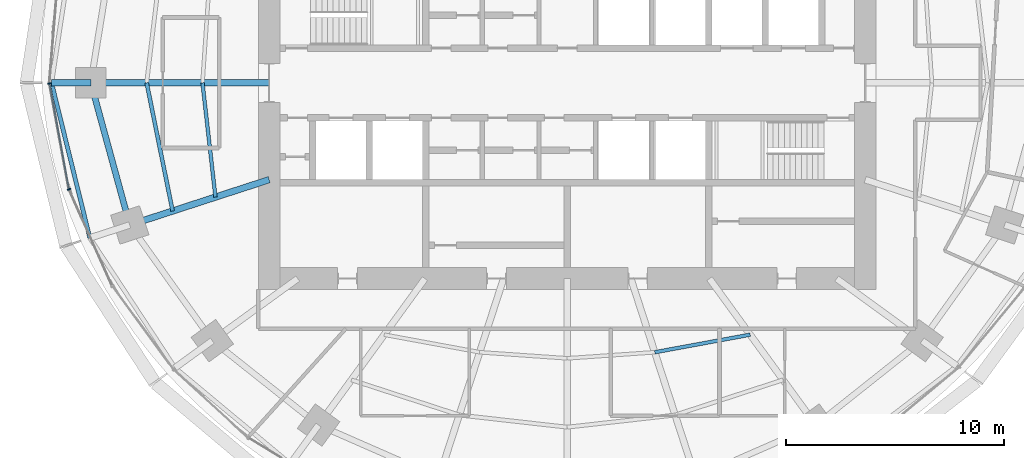
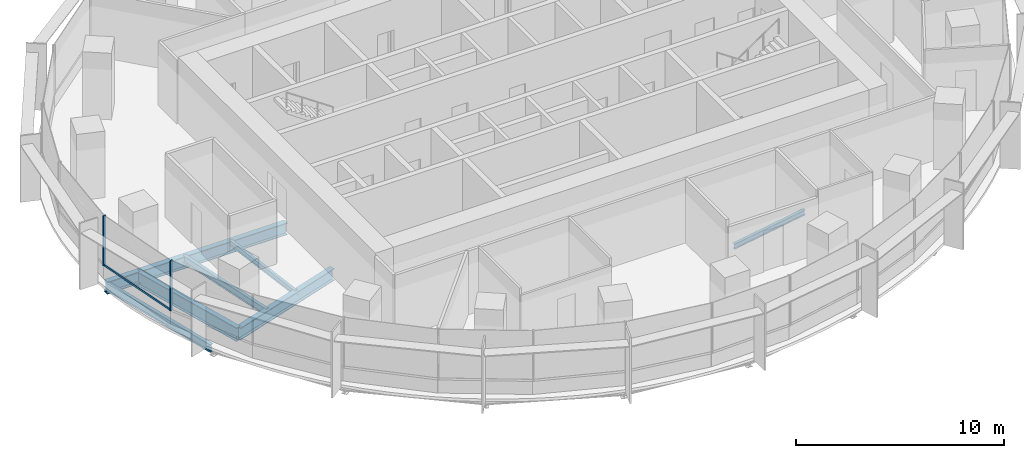
# One storey, part 3 of 15: 8 beams, 3 members, 1 element without a shape of its own.
"""IFC4 building model written with IfcOpenShell, lengths in metres."""

import ifcopenshell
import ifcopenshell.guid

model = None  # the IFC model being written
_history = None  # IfcOwnerHistory: only IFC2X3 demands one
_inside = {}  # id of a spatial element -> (the spatial element, [elements in it])
_under = {}  # id of a project, library or spatial element -> (it, [spatial elements below it])
_declared = {}  # id of a project -> (the project, [libraries it declares])
_typed = {}  # id of a type object -> (the type object, [elements of that type])
_made_of = {}  # id of a material, layer set ... -> (it, [elements and type objects made of it])


def new_model(schema):
    """Start an empty IFC model of exactly this schema.

    Asked for "IFC4X3", IfcOpenShell would pick the latest addendum, in which some entities
    have other attributes; the version numbers below select the first issue.
    IFC2X3 requires an IfcOwnerHistory on every rooted entity: one is made here for all.
    """
    global model, _history
    if schema == "IFC4X3":
        model = ifcopenshell.file(schema_version=(4, 3, 0, 0))
    else:
        model = ifcopenshell.file(schema=schema)
    _inside.clear()
    _under.clear()
    _declared.clear()
    _typed.clear()
    _made_of.clear()
    _history = None
    if model.schema == "IFC2X3":
        org = make("IfcOrganization", Name="unknown")
        user = make(
            "IfcPersonAndOrganization",
            ThePerson=make("IfcPerson", FamilyName="unknown"),
            TheOrganization=org,
        )
        app = make(
            "IfcApplication",
            ApplicationDeveloper=org,
            Version="unknown",
            ApplicationFullName="unknown",
            ApplicationIdentifier="unknown",
        )
        _history = make(
            "IfcOwnerHistory",
            OwningUser=user,
            OwningApplication=app,
            ChangeAction="ADDED",
            CreationDate=0,
        )
    return model


def make(cls, **values):
    """One entity of the class cls with the attributes given. An attribute that is None is left unset."""
    return model.create_entity(
        cls, **{name: value for name, value in values.items() if value is not None}
    )


def rooted(cls, **values):
    """An entity with a GlobalId (a new one), such as an element, a storey or a relation."""
    return make(cls, GlobalId=ifcopenshell.guid.new(), OwnerHistory=_history, **values)


def si_unit(unit_type, name, prefix=None):
    """IfcSIUnit, for example si_unit("LENGTHUNIT", "METRE", prefix="MILLI")."""
    return make("IfcSIUnit", UnitType=unit_type, Prefix=prefix, Name=name)


def assignment(units):
    """IfcUnitAssignment: the units of a project."""
    return None if units is None else make("IfcUnitAssignment", Units=units)


def point(xyz):
    """IfcCartesianPoint."""
    return None if xyz is None else make("IfcCartesianPoint", Coordinates=xyz)


def direction(xyz):
    """IfcDirection."""
    return None if xyz is None else make("IfcDirection", DirectionRatios=xyz)


def frame(location, z_axis=None, x_axis=None):
    """IfcAxis2Placement3D, a coordinate frame: its origin and axes. An axis left out is left unset."""
    return make(
        "IfcAxis2Placement3D",
        Location=point(location),
        Axis=direction(z_axis),
        RefDirection=direction(x_axis),
    )


def frame_2d(location, x_axis=None):
    """IfcAxis2Placement2D, a coordinate frame in the plane: its origin and x axis."""
    return make(
        "IfcAxis2Placement2D", Location=point(location), RefDirection=direction(x_axis)
    )


def origin():
    """The frame at (0, 0, 0) with its axes left unset."""
    return frame((0.0, 0.0, 0.0))


def origin_2d():
    """The frame at (0, 0) in the plane with its x axis left unset."""
    return frame_2d((0.0, 0.0))


def place(relative_to, where):
    """IfcLocalPlacement: puts the frame where relative to a parent placement (None: the world)."""
    return make(
        "IfcLocalPlacement", PlacementRelTo=relative_to, RelativePlacement=where
    )


def context(
    kind, dimensions, precision=None, world=None, true_north=None, identifier=None
):
    """IfcGeometricRepresentationContext, for example the 3D "Model" context."""
    return make(
        "IfcGeometricRepresentationContext",
        ContextIdentifier=identifier,
        ContextType=kind,
        CoordinateSpaceDimension=dimensions,
        Precision=precision,
        WorldCoordinateSystem=world,
        TrueNorth=true_north,
    )


def subcontext(parent, identifier, kind, view, scale=None):
    """IfcGeometricRepresentationSubContext, for example "Body" below "Model"."""
    return make(
        "IfcGeometricRepresentationSubContext",
        ContextIdentifier=identifier,
        ContextType=kind,
        ParentContext=parent,
        TargetScale=scale,
        TargetView=view,
    )


def project(units=None, contexts=None):
    """IfcProject with its units and contexts."""
    return rooted(
        "IfcProject",
        Name="project",
        RepresentationContexts=contexts,
        UnitsInContext=assignment(units),
    )


def spatial(cls, under=None, at=None, **own):
    """A site, building, storey or space (cls), placed at a placement, below another one or the project."""
    s = rooted(cls, ObjectPlacement=at, **own)
    if under is not None:
        _under.setdefault(under.id(), (under, []))[1].append(s)
    return s


def profile(cls, at=None, kind="AREA", **sizes):
    """A parametric profile (cls). Its sizes go by their IFC names, for example OverallWidth=200.0."""
    return make(cls, ProfileType=kind, Position=at, **sizes)


def rectangle(**sizes):
    """IfcRectangleProfileDef."""
    return profile("IfcRectangleProfileDef", **sizes)


def i_section(**sizes):
    """IfcIShapeProfileDef."""
    return profile("IfcIShapeProfileDef", **sizes)


def extrude(swept, where, along, depth):
    """IfcExtrudedAreaSolid: the profile swept, set in the frame where, extruded along a direction by depth."""
    return make(
        "IfcExtrudedAreaSolid",
        SweptArea=swept,
        Position=where,
        ExtrudedDirection=direction(along),
        Depth=depth,
    )


def shape(context_of_items, identifier, shape_type, items):
    """IfcShapeRepresentation: the items that make up one representation, for example the "Body"."""
    return make(
        "IfcShapeRepresentation",
        ContextOfItems=context_of_items,
        RepresentationIdentifier=identifier,
        RepresentationType=shape_type,
        Items=items,
    )


def material(Name=None, Category=None):
    """IfcMaterial."""
    return make("IfcMaterial", Name=Name, Category=Category)


def material_profile(
    of_material, cross_section, Name=None, Category=None, Priority=None
):
    """IfcMaterialProfile: a cross section and its material."""
    return make(
        "IfcMaterialProfile",
        Name=Name,
        Material=of_material,
        Profile=cross_section,
        Priority=Priority,
        Category=Category,
    )


def profile_set(profiles, Name=None, composite=None):
    """IfcMaterialProfileSet."""
    return make(
        "IfcMaterialProfileSet",
        Name=Name,
        MaterialProfiles=profiles,
        CompositeProfile=composite,
    )


def made_of(thing, what):
    """Note that an element or type object is made of a material, layer set ...; save() writes the relation."""
    if what is not None:
        _made_of.setdefault(what.id(), (what, []))[1].append(thing)
    return thing


def type_object(cls, material=None, **own):
    """A type object (cls), such as IfcWallType, which elements share."""
    return made_of(rooted(cls, **own), material)


def element(
    cls,
    number,
    at=None,
    inside=None,
    cuts=None,
    type_object=None,
    material=None,
    context=None,
    identifier="Body",
    shape_type=None,
    held_by="IfcProductDefinitionShape",
    body=None,
    shapes=None,
    **own,
):
    """One element of the class cls, such as IfcWall. Its Tag is "e" and its number.

    at: its placement. inside: the storey or other place that contains it. cuts: it is an
    opening in that element (IfcRelVoidsElement). A single representation is given by context,
    identifier, shape_type and body (its items); several are given by shapes. held_by: the class
    of the entity that holds the representations. save() writes the other relations.
    """
    e = rooted(cls, Tag="e%d" % number, ObjectPlacement=at, **own)
    if body is not None:
        shapes = [shape(context, identifier, shape_type, body)]
    if shapes is not None:
        e.Representation = make(held_by, Representations=shapes)
    if inside is not None:
        _inside.setdefault(inside.id(), (inside, []))[1].append(e)
    if cuts is not None:
        rooted(
            "IfcRelVoidsElement", RelatingBuildingElement=cuts, RelatedOpeningElement=e
        )
    if type_object is not None:
        _typed.setdefault(type_object.id(), (type_object, []))[1].append(e)
    return made_of(e, material)


def aggregate(whole, parts):
    """IfcRelAggregates: a whole, such as a stair, and the parts it consists of."""
    return rooted("IfcRelAggregates", RelatingObject=whole, RelatedObjects=parts)


def save(model, path):
    """Write the relations noted so far, then the file.

    IfcRelAggregates (storeys below a building ...), IfcRelContainedInSpatialStructure (elements
    in a storey), IfcRelDefinesByType, IfcRelAssociatesMaterial and IfcRelDeclares: one each for
    every whole, place, type object, material and project.
    """
    for whole, parts in _under.values():
        aggregate(whole, parts)
    for where, things in _inside.values():
        rooted(
            "IfcRelContainedInSpatialStructure",
            RelatedElements=things,
            RelatingStructure=where,
        )
    for kind, things in _typed.values():
        rooted("IfcRelDefinesByType", RelatedObjects=things, RelatingType=kind)
    for what, things in _made_of.values():
        rooted("IfcRelAssociatesMaterial", RelatedObjects=things, RelatingMaterial=what)
    for by, libraries in _declared.values():
        rooted("IfcRelDeclares", RelatingContext=by, RelatedDefinitions=libraries)
    model.write(path)


model = new_model("IFC4")

# Units and contexts
model_context = context("Model", 3, precision=1e-05, world=origin(), true_north=direction((0.0, 1.0)))
body_context = subcontext(model_context, "Body", "Model", "MODEL_VIEW")
ifc_project = project(units=[si_unit("LENGTHUNIT", "METRE"), si_unit("AREAUNIT", "SQUARE_METRE"), si_unit("VOLUMEUNIT", "CUBIC_METRE"), si_unit("PLANEANGLEUNIT", "RADIAN"), si_unit("MASSUNIT", "GRAM", prefix="KILO")], contexts=[model_context])

# Site, building, storey
site_placement = place(None, origin())
site = spatial("IfcSite", under=ifc_project, at=site_placement, CompositionType="ELEMENT")
building_placement = place(site_placement, origin())
building = spatial("IfcBuilding", under=site, at=building_placement, Name="Marramba Exchange Tower", CompositionType="ELEMENT")
storey_placement = place(building_placement, frame((0.0, 0.0, 211.10009765625)))
storey = spatial("IfcBuildingStorey", under=building, at=storey_placement, Name="L51", CompositionType="ELEMENT", Elevation=211.10009765625)

# Beams
ifc_material_1 = material(Name="Steel AS/NZS 3679.2 grade 300", Category="steel")
ifc_material_profile_1 = material_profile(ifc_material_1, i_section(OverallWidth=0.300048828125, OverallDepth=0.699951171875, WebThickness=0.010009765625, FlangeThickness=0.031982421875, at=origin_2d()), Name="700WB173")
ifc_profile_set_1 = profile_set([ifc_material_profile_1], Name="Steel AS/NZS 3679.2 grade 300")
beam_type_1 = type_object("IfcBeamType", Name="Cantilever girder 700WB173", PredefinedType="BEAM", material=ifc_profile_set_1)
beam_1_placement = place(storey_placement, frame((-21.89990234375, 0.0, -0.510009765625), z_axis=(-1.0, 0.0, 0.0), x_axis=(0.0, -1.0, 0.0)))
element("IfcBeam", 1, at=beam_1_placement, inside=storey, type_object=beam_type_1, Name="Cantilever girder L51 TC11", PredefinedType="BEAM", context=body_context, shape_type="SweptSolid", body=[
    extrude(i_section(OverallWidth=0.300048828125, OverallDepth=0.699951171875, WebThickness=0.010009765625, FlangeThickness=0.031982421875, at=origin_2d()), origin(), (0.0, 0.0, 1.0), 1.80615234375),
])
ifc_material_2 = material(Name="Steel AS/NZS 3679.1 grade 300", Category="steel")
ifc_material_profile_2 = material_profile(ifc_material_2, i_section(OverallWidth=0.166015625, OverallDepth=0.306884765625, WebThickness=0.006591796875, FlangeThickness=0.01171875, FilletRadius=0.011474609375, at=origin_2d()), Name="310UB46.2")
ifc_profile_set_2 = profile_set([ifc_material_profile_2], Name="Steel AS/NZS 3679.1 grade 300")
beam_type_2 = type_object("IfcBeamType", Name="Floor joist 310UB46.2", PredefinedType="JOIST", material=ifc_profile_set_2)
beam_2_placement = place(storey_placement, frame((-16.7666015625, 0.0, -0.3134765625), z_axis=(0.112888968594, -0.993607609054, 0.0), x_axis=(0.993607609054, 0.112888968594, 0.0)))
element("IfcBeam", 2, at=beam_2_placement, inside=storey, type_object=beam_type_2, Name="Joist L51 bay 11 row 1", PredefinedType="JOIST", context=body_context, shape_type="SweptSolid", body=[
    extrude(i_section(OverallWidth=0.166015625, OverallDepth=0.306884765625, WebThickness=0.006591796875, FlangeThickness=0.01171875, FilletRadius=0.011474609375, at=origin_2d()), origin(), (0.0, 0.0, 1.0), 5.28759765625),
])
beam_3_placement = place(storey_placement, frame((4.0244140625, -12.3857421875, -0.3134765625), z_axis=(0.983455754421, 0.181148500119, 0.0), x_axis=(-0.181148500119, 0.983455754421, 0.0)))
element("IfcBeam", 3, at=beam_3_placement, inside=storey, type_object=beam_type_2, Name="Joist L51 bay 17 row 1", PredefinedType="JOIST", context=body_context, shape_type="SweptSolid", body=[
    extrude(i_section(OverallWidth=0.166015625, OverallDepth=0.306884765625, WebThickness=0.006591796875, FlangeThickness=0.01171875, FilletRadius=0.011474609375, at=origin_2d()), origin(), (0.0, 0.0, 1.0), 4.4609375),
])
ifc_material_profile_3 = material_profile(ifc_material_2, i_section(OverallWidth=0.177978515625, OverallDepth=0.406005859375, WebThickness=0.0078125, FlangeThickness=0.0126953125, FilletRadius=0.011474609375, at=origin_2d()), Name="410UB59.7")
ifc_profile_set_3 = profile_set([ifc_material_profile_3], Name="Steel AS/NZS 3679.1 grade 300")
beam_type_3 = type_object("IfcBeamType", Name="Floor joist 410UB59.7", PredefinedType="JOIST", material=ifc_profile_set_3)
beam_4_placement = place(storey_placement, frame((-19.333251953125, 0.0, -0.363037109375), z_axis=(0.198489047047, -0.980103105904, 0.0), x_axis=(0.980103105904, 0.198489047047, 0.0)))
element("IfcBeam", 4, at=beam_4_placement, inside=storey, type_object=beam_type_3, Name="Joist L51 bay 11 row 2", PredefinedType="JOIST", context=body_context, shape_type="SweptSolid", body=[
    extrude(i_section(OverallWidth=0.177978515625, OverallDepth=0.406005859375, WebThickness=0.0078125, FlangeThickness=0.0126953125, FilletRadius=0.011474609375, at=origin_2d()), origin(), (0.0, 0.0, 1.0), 6.013427734375),
])

# Curtain wall, members
ifc_material_3 = material(Name="Aluminium framing, bronze anodised", Category="aluminium")
curtain_wall_type = type_object("IfcCurtainWallType", Name="Office ribbon curtain wall", PredefinedType="USERDEFINED", material=ifc_material_3)
curtain_wall_placement = place(storey_placement, origin())
curtain_wall = element("IfcCurtainWall", 5, at=curtain_wall_placement, inside=storey, type_object=curtain_wall_type, Name="Curtain wall CW4 L51 F16-F20", ObjectType="RIBBON CURTAIN WALL", PredefinedType="USERDEFINED")
ifc_material_4 = material(Name="Aluminium mullion, bronze anodised", Category="aluminium")
ifc_material_profile_4 = material_profile(ifc_material_4, rectangle(XDim=0.159912109375, YDim=0.06005859375, at=origin_2d()), Name="CW4 mullion 60x160")
ifc_profile_set_4 = profile_set([ifc_material_profile_4], Name="Aluminium mullion, bronze anodised")
member_type_1 = type_object("IfcMemberType", Name="Office ribbon curtain wall mullion", PredefinedType="MULLION", material=ifc_profile_set_4)
member_1_placement = place(storey_placement, frame((-23.800537109375, -0.029541015625, 0.7998046875), z_axis=(0.0, 0.0, 1.0), x_axis=(0.983606636184, 0.180327438996, 0.0)))
member_1 = element("IfcMember", 6, at=member_1_placement, type_object=member_type_1, Name="CW4 mullion 1", PredefinedType="MULLION", context=body_context, shape_type="SweptSolid", body=[
    extrude(rectangle(XDim=0.159912109375, YDim=0.06005859375, at=origin_2d()), origin(), (0.0, 0.0, 1.0), 2.940185546875),
])
member_2_placement = place(storey_placement, frame((-22.90087890625, -4.897705078125, 0.7998046875), z_axis=(0.0, 0.0, 1.0), x_axis=(0.913179510401, 0.407557580942, 0.0)))
member_2 = element("IfcMember", 7, at=member_2_placement, type_object=member_type_1, Name="CW4 mullion 1", PredefinedType="MULLION", context=body_context, shape_type="SweptSolid", body=[
    extrude(rectangle(XDim=0.159912109375, YDim=0.06005859375, at=origin_2d()), origin(), (0.0, 0.0, 1.0), 2.940185546875),
])
ifc_material_5 = material(Name="Aluminium transom, bronze anodised", Category="aluminium")
ifc_material_profile_5 = material_profile(ifc_material_5, rectangle(XDim=0.06005859375, YDim=0.1201171875, at=origin_2d()), Name="CW4 transom 60x120")
ifc_profile_set_5 = profile_set([ifc_material_profile_5], Name="Aluminium transom, bronze anodised")
member_type_2 = type_object("IfcMemberType", Name="Office ribbon curtain wall transom", PredefinedType="USERDEFINED", material=ifc_profile_set_5)
member_3_placement = place(storey_placement, frame((-23.795166015625, -0.05908203125, 0.829833984375), z_axis=(0.180330283276, -0.98360611473, 0.0), x_axis=(0.98360611473, 0.180330283276, 0.0)))
member_3 = element("IfcMember", 8, at=member_3_placement, type_object=member_type_2, Name="CW4 sill transom", ObjectType="TRANSOM", PredefinedType="USERDEFINED", context=body_context, shape_type="SweptSolid", body=[
    extrude(rectangle(XDim=0.06005859375, YDim=0.1201171875, at=origin_2d()), origin(), (0.0, 0.0, 1.0), 4.891357421875),
])
aggregate(curtain_wall, [member_1, member_3, member_2])

# Beams
ifc_material_profile_6 = material_profile(ifc_material_1, i_section(OverallWidth=0.300048828125, OverallDepth=0.699951171875, WebThickness=0.010009765625, FlangeThickness=0.031982421875, at=origin_2d()), Name="700WB173")
ifc_profile_set_6 = profile_set([ifc_material_profile_6], Name="Steel AS/NZS 3679.2 grade 300")
beam_type_4 = type_object("IfcBeamType", Name="Radial girder 700WB173", PredefinedType="BEAM", material=ifc_profile_set_6)
beam_5_placement = place(storey_placement, frame((-13.699951171875, 0.0, -0.510009765625), z_axis=(-1.0, 0.0, 0.0), x_axis=(0.0, -1.0, 0.0)))
element("IfcBeam", 9, at=beam_5_placement, inside=storey, type_object=beam_type_4, Name="Radial girder L51 TC11", PredefinedType="BEAM", context=body_context, shape_type="SweptSolid", body=[
    extrude(i_section(OverallWidth=0.300048828125, OverallDepth=0.699951171875, WebThickness=0.010009765625, FlangeThickness=0.031982421875, at=origin_2d()), origin(), (0.0, 0.0, 1.0), 8.199951171875),
])
beam_6_placement = place(storey_placement, frame((-13.699951171875, -4.451416015625, -0.510009765625), z_axis=(-0.951057759669, -0.309013167637, 0.0), x_axis=(0.309013167637, -0.951057759669, 0.0)))
element("IfcBeam", 10, at=beam_6_placement, inside=storey, type_object=beam_type_4, Name="Radial girder L51 TC12", PredefinedType="BEAM", context=body_context, shape_type="SweptSolid", body=[
    extrude(i_section(OverallWidth=0.300048828125, OverallDepth=0.699951171875, WebThickness=0.010009765625, FlangeThickness=0.031982421875, at=origin_2d()), origin(), (0.0, 0.0, 1.0), 6.7392578125),
])
ifc_material_profile_7 = material_profile(ifc_material_1, i_section(OverallWidth=0.27490234375, OverallDepth=0.800048828125, WebThickness=0.010009765625, FlangeThickness=0.02490234375, at=origin_2d()), Name="800WB168")
ifc_profile_set_7 = profile_set([ifc_material_profile_7], Name="Steel AS/NZS 3679.2 grade 300")
beam_type_5 = type_object("IfcBeamType", Name="Ring beam 800WB168", PredefinedType="SPANDREL", material=ifc_profile_set_7)
beam_7_placement = place(storey_placement, frame((-21.89990234375, 0.0, -0.56005859375), z_axis=(0.264291166956, -0.964442937176, 0.0), x_axis=(0.964442937176, 0.264291166956, 0.0)))
element("IfcBeam", 11, at=beam_7_placement, inside=storey, type_object=beam_type_5, Name="Ring beam L51 TC11-TC12", PredefinedType="SPANDREL", context=body_context, shape_type="SweptSolid", body=[
    extrude(i_section(OverallWidth=0.27490234375, OverallDepth=0.800048828125, WebThickness=0.010009765625, FlangeThickness=0.02490234375, at=origin_2d()), origin(), (0.0, 0.0, 1.0), 6.77490234375),
])
ifc_material_profile_8 = material_profile(ifc_material_2, i_section(OverallWidth=0.19091796875, OverallDepth=0.4599609375, WebThickness=0.010009765625, FlangeThickness=0.01611328125, FilletRadius=0.011474609375, at=origin_2d()), Name="460UB82.1")
ifc_profile_set_8 = profile_set([ifc_material_profile_8], Name="Steel AS/NZS 3679.1 grade 300")
beam_type_6 = type_object("IfcBeamType", Name="Slab edge beam 460UB82.1", PredefinedType="SPANDREL", material=ifc_profile_set_8)
beam_8_placement = place(storey_placement, frame((-23.7060546875, 0.0, -0.39013671875), z_axis=(0.23973454413, -0.970838476963, 0.0), x_axis=(0.970838476963, 0.23973454413, 0.0)))
element("IfcBeam", 12, at=beam_8_placement, inside=storey, type_object=beam_type_6, Name="Slab edge beam L51 TC11-TC12", PredefinedType="SPANDREL", context=body_context, shape_type="SweptSolid", body=[
    extrude(i_section(OverallWidth=0.19091796875, OverallDepth=0.4599609375, WebThickness=0.010009765625, FlangeThickness=0.01611328125, FilletRadius=0.011474609375, at=origin_2d()), origin(), (0.0, 0.0, 1.0), 7.344482421875),
])

save(model, "model.ifc")
